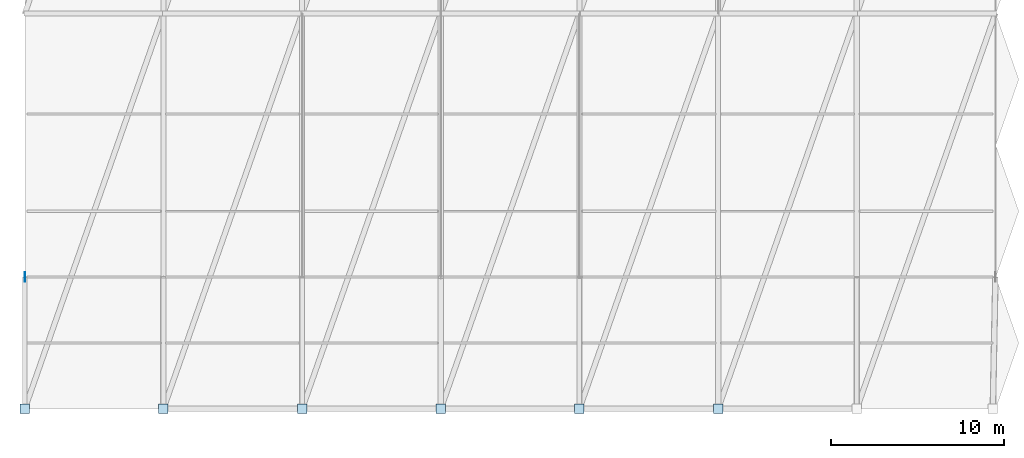
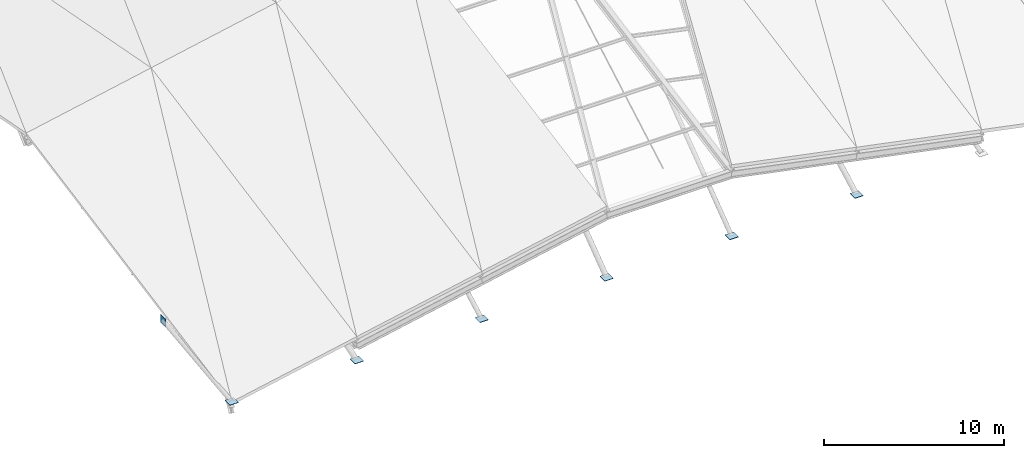
# One storey, part 4 of 9: 7 plates.
"""IFC4 building model written with IfcOpenShell, lengths in metres."""

from ifc_helpers import new_model, si_unit, direction, frame, origin, origin_2d, place, context, subcontext, project, spatial, rectangle, extrude, material, layer, layer_set, type_object, element, save


model = new_model("IFC4")

# Units and contexts
model_context = context("Model", 3, precision=1e-05, world=origin(), true_north=direction((0.0, 1.0)))
body_context = subcontext(model_context, "Body", "Model", "MODEL_VIEW")
ifc_project = project(units=[si_unit("LENGTHUNIT", "METRE"), si_unit("AREAUNIT", "SQUARE_METRE"), si_unit("VOLUMEUNIT", "CUBIC_METRE"), si_unit("PLANEANGLEUNIT", "RADIAN"), si_unit("MASSUNIT", "GRAM", prefix="KILO")], contexts=[model_context])

# Site, building, storey
site_placement = place(None, origin())
site = spatial("IfcSite", under=ifc_project, at=site_placement, CompositionType="ELEMENT")
building_placement = place(site_placement, origin())
building = spatial("IfcBuilding", under=site, at=building_placement, Name="Khelvaren Railside Concert Hall", CompositionType="ELEMENT")
storey_placement = place(building_placement, frame((0.0, 0.0, 29.39990234375)))
storey = spatial("IfcBuildingStorey", under=building, at=storey_placement, Name="ROOF", CompositionType="ELEMENT", Elevation=29.39990234375)

# Plates
ifc_material = material(Name="Steel S355", Category="steel")
ifc_layer = layer(ifc_material, 0.028076171875)
ifc_layer_set = layer_set([ifc_layer], Name="Steel S355")
plate_type = type_object("IfcPlateType", Name="GP71", PredefinedType="USERDEFINED", material=ifc_layer_set)
plate_1_placement = place(storey_placement, frame((0.0, 0.0, -2.59912109375), z_axis=(0.0, 0.0, 1.0), x_axis=(1.0, 0.0, 0.0)))
element("IfcPlate", 1, at=plate_1_placement, inside=storey, type_object=plate_type, Name="Crystal Raking Strut Base Plate B1-S", ObjectType="GUSSET PLATE", PredefinedType="USERDEFINED", context=body_context, shape_type="SweptSolid", body=[
    extrude(rectangle(XDim=0.550048828125, YDim=0.550048828125, at=origin_2d()), origin(), (0.0, 0.0, 1.0), 0.028076171875),
])
plate_2_placement = place(storey_placement, frame((0.0, 7.60009765625, -2.0009765625), z_axis=(0.0, 0.0, 1.0), x_axis=(1.0, 0.0, 0.0)))
element("IfcPlate", 2, at=plate_2_placement, inside=storey, type_object=plate_type, Name="Crystal Raking Strut Top Node Cap B1-S", ObjectType="GUSSET PLATE", PredefinedType="USERDEFINED", context=body_context, shape_type="SweptSolid", body=[
    extrude(rectangle(XDim=0.028076171875, YDim=0.550048828125, at=origin_2d()), origin(), (0.0, 0.0, 1.0), 0.550048828125),
])
for number, where, z_axis, x_axis, name in (
    (3, (8.0, 0.0, -2.59912109375), (0.0, 0.0, 1.0), (1.0, 0.0, 0.0), "Crystal Raking Strut Base Plate B2-S"),
    (4, (16.0, 0.0, -2.59912109375), (0.0, 0.0, 1.0), (1.0, 0.0, 0.0), "Crystal Raking Strut Base Plate B3-S"),
    (5, (24.0, 0.0, -2.59912109375), (0.0, 0.0, 1.0), (1.0, 0.0, 0.0), "Crystal Raking Strut Base Plate B4-S"),
    (6, (32.0, 0.0, -2.59912109375), (0.0, 0.0, 1.0), (1.0, 0.0, 0.0), "Crystal Raking Strut Base Plate B5-S"),
    (7, (40.0, 0.0, -2.59912109375), (0.0, 0.0, 1.0), (1.0, 0.0, 0.0), "Crystal Raking Strut Base Plate B6-S"),
):
    element("IfcPlate", number, at=place(storey_placement, frame(where, z_axis=z_axis, x_axis=x_axis)), inside=storey, type_object=plate_type, Name=name, ObjectType="GUSSET PLATE", PredefinedType="USERDEFINED", context=body_context, shape_type="SweptSolid", body=[
        extrude(rectangle(XDim=0.550048828125, YDim=0.550048828125, at=origin_2d()), origin(), (0.0, 0.0, 1.0), 0.028076171875),
    ])

save(model, "model.ifc")
